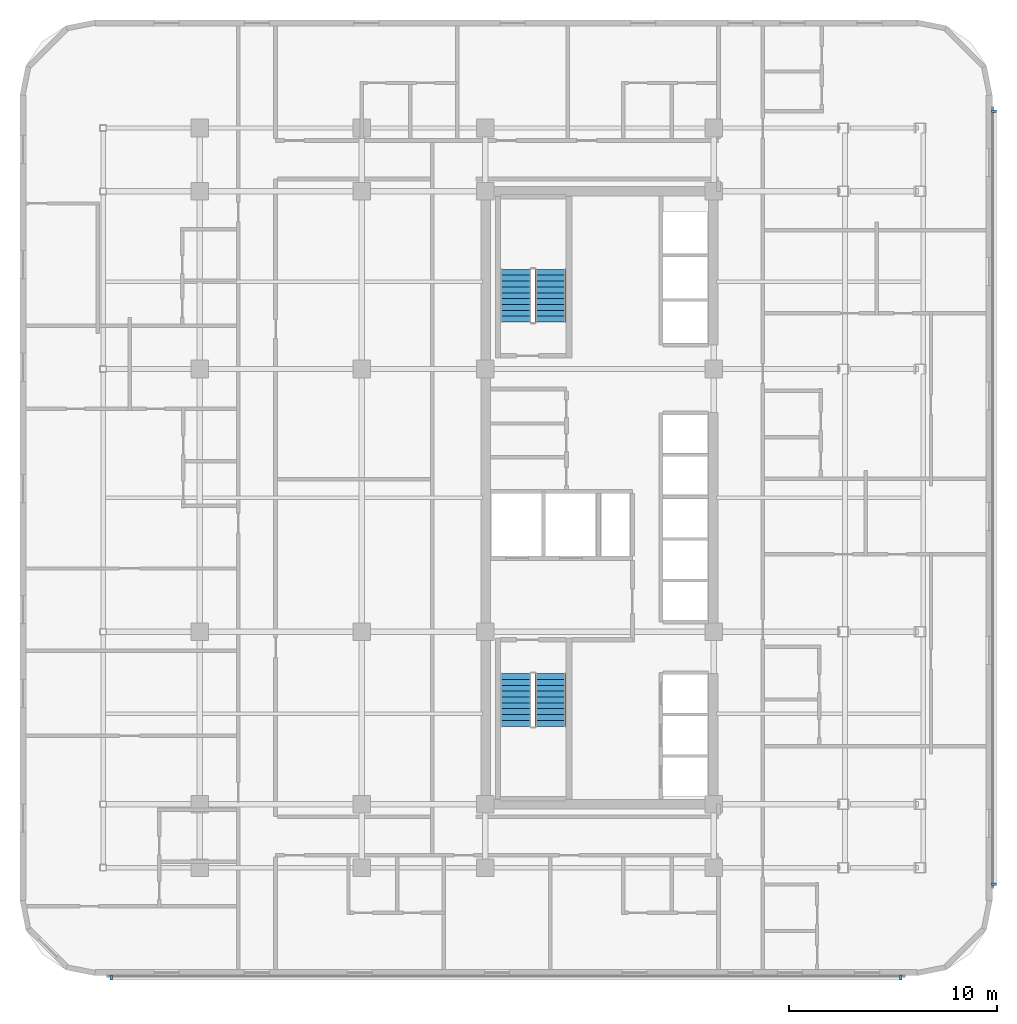
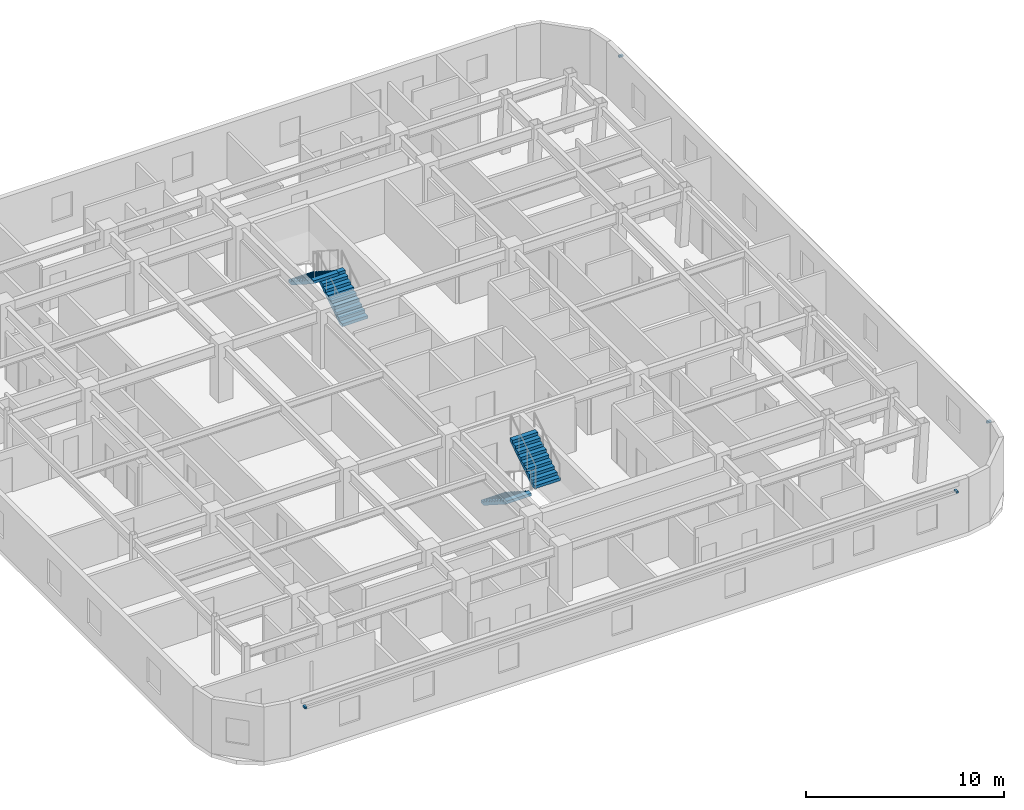
# One storey, part 11 of 14: 4 discrete accessories, 4 stair flights, 2 elements without a shape of their own.
"""IFC4 building model written with IfcOpenShell, lengths in metres."""

from ifc_helpers import new_model, si_unit, direction, frame, origin, origin_2d, place, context, subcontext, project, spatial, polyline, rectangle, outline, extrude, material, type_object, element, aggregate, save


model = new_model("IFC4")

# Units and contexts
model_context = context("Model", 3, precision=1e-05, world=origin(), true_north=direction((0.0, 1.0)))
body_context = subcontext(model_context, "Body", "Model", "MODEL_VIEW")
ifc_project = project(units=[si_unit("LENGTHUNIT", "METRE"), si_unit("AREAUNIT", "SQUARE_METRE"), si_unit("VOLUMEUNIT", "CUBIC_METRE"), si_unit("PLANEANGLEUNIT", "RADIAN"), si_unit("MASSUNIT", "GRAM", prefix="KILO")], contexts=[model_context])

# Site, building, storey
site_placement = place(None, origin())
site = spatial("IfcSite", under=ifc_project, at=site_placement, CompositionType="ELEMENT")
building_placement = place(site_placement, origin())
building = spatial("IfcBuilding", under=site, at=building_placement, Name="Ochreholt Gables", CompositionType="ELEMENT")
storey_placement = place(building_placement, frame((0.0, 0.0, 42.0)))
storey = spatial("IfcBuildingStorey", under=building, at=storey_placement, Name="L10", CompositionType="ELEMENT", Elevation=42.0)

# Stair, stair flights
ifc_material_1 = material(Name="Concrete 40 MPa", Category="concrete")
stair_type_1 = type_object("IfcStairType", Name="STAIR-CORE-ST-1", PredefinedType="HALF_TURN_STAIR", material=ifc_material_1)
stair_1_placement = place(storey_placement, origin())
stair_1 = element("IfcStair", 1, at=stair_1_placement, inside=storey, type_object=stair_type_1, Name="L10 Core Exit Stair 1", PredefinedType="HALF_TURN_STAIR")
stair_flight_type = type_object("IfcStairFlightType", Name="FLIGHT-ST-1480-1800", PredefinedType="STRAIGHT", material=ifc_material_1)
stair_flight_1_placement = place(storey_placement, frame((25.659912109375, 15.5400390625, 0.0), z_axis=(0.0, 0.0, 1.0), x_axis=(0.0, -1.0, 0.0)))
stair_flight_1 = element("IfcStairFlight", 2, at=stair_flight_1_placement, type_object=stair_flight_type, Name="ST-1 flight 1", NumberOfRisers=10, NumberOfTreads=9, PredefinedType="STRAIGHT", RiserHeight=0.18, TreadLength=0.282, context=body_context, shape_type="SweptSolid", body=[
    extrude(outline(polyline([(0.0, 0.0), (0.0, 0.179931640625), (0.281982421875, 0.179931640625), (0.281982421875, 0.360107421875), (0.56396484375, 0.360107421875), (0.56396484375, 0.5400390625), (0.845947265625, 0.5400390625), (0.845947265625, 0.719970703125), (1.1279296875, 0.719970703125), (1.1279296875, 0.89990234375), (1.409912109375, 0.89990234375), (1.409912109375, 1.080078125), (1.69189453125, 1.080078125), (1.69189453125, 1.260009765625), (1.97412109375, 1.260009765625), (1.97412109375, 1.43994140625), (2.256103515625, 1.43994140625), (2.256103515625, 1.6201171875), (2.5380859375, 1.6201171875), (2.5380859375, 1.800048828125), (2.5380859375, 1.442138671875), (0.278564453125, 0.0), (0.0, 0.0)])), frame((0.0, 0.739990234375, 0.0), z_axis=(0.0, -1.0, 0.0), x_axis=(1.0, 0.0, 0.0)), (0.0, 0.0, 1.0), 1.47998046875),
])
stair_flight_2_placement = place(storey_placement, frame((27.340087890625, 13.001953125, 1.800048828125), z_axis=(0.0, 0.0, 1.0), x_axis=(0.0, 1.0, 0.0)))
stair_flight_2 = element("IfcStairFlight", 3, at=stair_flight_2_placement, type_object=stair_flight_type, Name="ST-1 flight 2", NumberOfRisers=10, NumberOfTreads=9, PredefinedType="STRAIGHT", RiserHeight=0.18, TreadLength=0.282, context=body_context, shape_type="SweptSolid", body=[
    extrude(outline(polyline([(0.0, 0.0), (0.0, 0.179931640625), (0.281982421875, 0.179931640625), (0.281982421875, 0.360107421875), (0.56396484375, 0.360107421875), (0.56396484375, 0.5400390625), (0.845947265625, 0.5400390625), (0.845947265625, 0.719970703125), (1.1279296875, 0.719970703125), (1.1279296875, 0.89990234375), (1.409912109375, 0.89990234375), (1.409912109375, 1.080078125), (1.69189453125, 1.080078125), (1.69189453125, 1.260009765625), (1.97412109375, 1.260009765625), (1.97412109375, 1.43994140625), (2.256103515625, 1.43994140625), (2.256103515625, 1.6201171875), (2.5380859375, 1.6201171875), (2.5380859375, 1.800048828125), (2.5380859375, 1.442138671875), (0.278564453125, 0.0), (0.0, 0.0)])), frame((0.0, 0.739990234375, 0.0), z_axis=(0.0, -1.0, 0.0), x_axis=(1.0, 0.0, 0.0)), (0.0, 0.0, 1.0), 1.47998046875),
])
aggregate(stair_1, [stair_flight_1, stair_flight_2])

stair_type_2 = type_object("IfcStairType", Name="STAIR-CORE-ST-2", PredefinedType="HALF_TURN_STAIR", material=ifc_material_1)
stair_2_placement = place(storey_placement, origin())
stair_2 = element("IfcStair", 4, at=stair_2_placement, inside=storey, type_object=stair_type_2, Name="L10 Core Exit Stair 2", PredefinedType="HALF_TURN_STAIR")
stair_flight_3_placement = place(storey_placement, frame((27.340087890625, 32.4599609375, 0.0), z_axis=(0.0, 0.0, 1.0), x_axis=(0.0, 1.0, 0.0)))
stair_flight_3 = element("IfcStairFlight", 5, at=stair_flight_3_placement, type_object=stair_flight_type, Name="ST-2 flight 1", NumberOfRisers=10, NumberOfTreads=9, PredefinedType="STRAIGHT", RiserHeight=0.18, TreadLength=0.282, context=body_context, shape_type="SweptSolid", body=[
    extrude(outline(polyline([(0.0, 0.0), (0.0, 0.179931640625), (0.281982421875, 0.179931640625), (0.281982421875, 0.360107421875), (0.56396484375, 0.360107421875), (0.56396484375, 0.5400390625), (0.845947265625, 0.5400390625), (0.845947265625, 0.719970703125), (1.1279296875, 0.719970703125), (1.1279296875, 0.89990234375), (1.409912109375, 0.89990234375), (1.409912109375, 1.080078125), (1.69189453125, 1.080078125), (1.69189453125, 1.260009765625), (1.97412109375, 1.260009765625), (1.97412109375, 1.43994140625), (2.256103515625, 1.43994140625), (2.256103515625, 1.6201171875), (2.5380859375, 1.6201171875), (2.5380859375, 1.800048828125), (2.5380859375, 1.442138671875), (0.278564453125, 0.0), (0.0, 0.0)])), frame((0.0, 0.739990234375, 0.0), z_axis=(0.0, -1.0, 0.0), x_axis=(1.0, 0.0, 0.0)), (0.0, 0.0, 1.0), 1.47998046875),
])
stair_flight_4_placement = place(storey_placement, frame((25.659912109375, 34.998046875, 1.800048828125), z_axis=(0.0, 0.0, 1.0), x_axis=(0.0, -1.0, 0.0)))
stair_flight_4 = element("IfcStairFlight", 6, at=stair_flight_4_placement, type_object=stair_flight_type, Name="ST-2 flight 2", NumberOfRisers=10, NumberOfTreads=9, PredefinedType="STRAIGHT", RiserHeight=0.18, TreadLength=0.282, context=body_context, shape_type="SweptSolid", body=[
    extrude(outline(polyline([(0.0, 0.0), (0.0, 0.179931640625), (0.281982421875, 0.179931640625), (0.281982421875, 0.360107421875), (0.56396484375, 0.360107421875), (0.56396484375, 0.5400390625), (0.845947265625, 0.5400390625), (0.845947265625, 0.719970703125), (1.1279296875, 0.719970703125), (1.1279296875, 0.89990234375), (1.409912109375, 0.89990234375), (1.409912109375, 1.080078125), (1.69189453125, 1.080078125), (1.69189453125, 1.260009765625), (1.97412109375, 1.260009765625), (1.97412109375, 1.43994140625), (2.256103515625, 1.43994140625), (2.256103515625, 1.6201171875), (2.5380859375, 1.6201171875), (2.5380859375, 1.800048828125), (2.5380859375, 1.442138671875), (0.278564453125, 0.0), (0.0, 0.0)])), frame((0.0, 0.739990234375, 0.0), z_axis=(0.0, -1.0, 0.0), x_axis=(1.0, 0.0, 0.0)), (0.0, 0.0, 1.0), 1.47998046875),
])
aggregate(stair_2, [stair_flight_3, stair_flight_4])

# Discrete accessories
ifc_material_2 = material(Name="Extruded Aluminium Standoff Bracket", Category="aluminium")
discrete_accessory_type = type_object("IfcDiscreteAccessoryType", Name="ACC-BRACKET-AL", PredefinedType="BRACKET", material=ifc_material_2)
for number, where, z_axis, x_axis, name in (
    (7, (6.199951171875, 0.909912109375, 2.780029296875), (0.0, 0.0, 1.0), (1.0, 0.0, 0.0), "L10 Baguette Standoff Bracket S1-1"),
    (8, (44.199951171875, 0.909912109375, 2.780029296875), (0.0, 0.0, 1.0), (1.0, 0.0, 0.0), "L10 Baguette Standoff Bracket S1-2"),
    (9, (48.68994140625, 5.39990234375, 2.780029296875), (0.0, 0.0, 1.0), (0.0, 1.0, 0.0), "L10 Baguette Standoff Bracket E1-1"),
    (10, (48.68994140625, 42.60009765625, 2.780029296875), (0.0, 0.0, 1.0), (0.0, 1.0, 0.0), "L10 Baguette Standoff Bracket E1-2"),
):
    element("IfcDiscreteAccessory", number, at=place(storey_placement, frame(where, z_axis=z_axis, x_axis=x_axis)), inside=storey, type_object=discrete_accessory_type, Name=name, PredefinedType="BRACKET", context=body_context, shape_type="SweptSolid", body=[
        extrude(rectangle(XDim=0.1201171875, YDim=0.239990234375, at=origin_2d()), origin(), (0.0, 0.0, 1.0), 0.1201171875),
    ])

save(model, "model.ifc")
